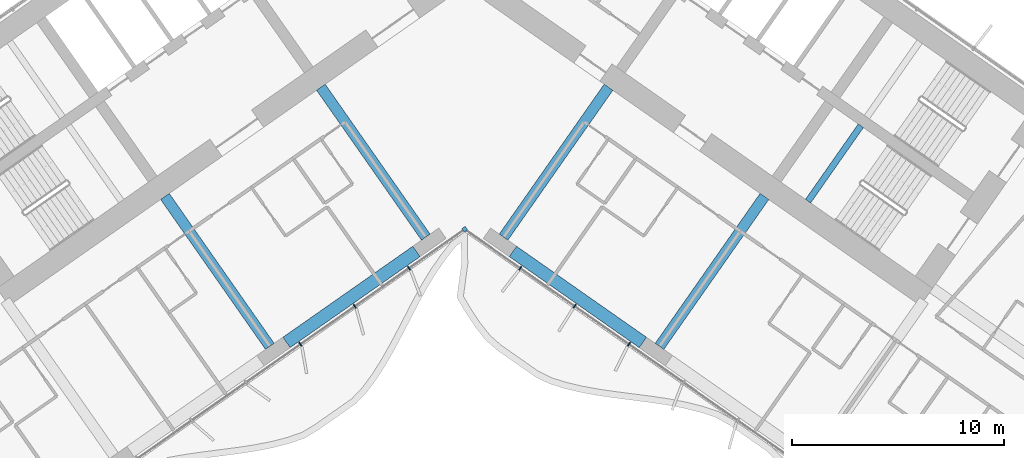
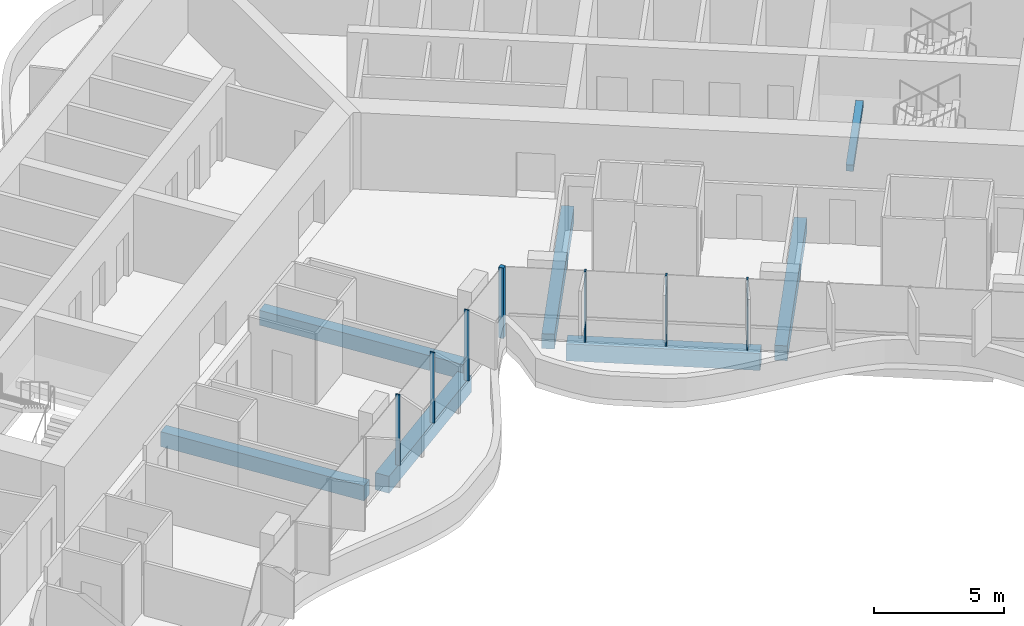
# One storey, part 6 of 25: 7 beams, 7 members, 1 element without a shape of its own.
"""IFC4 building model written with IfcOpenShell, lengths in metres."""

from ifc_helpers import new_model, si_unit, direction, frame, origin, origin_2d, place, context, subcontext, project, spatial, rectangle, extrude, material, material_profile, profile_set, type_object, element, aggregate, save


model = new_model("IFC4")

# Units and contexts
model_context = context("Model", 3, precision=1e-05, world=origin(), true_north=direction((0.0, 1.0)))
body_context = subcontext(model_context, "Body", "Model", "MODEL_VIEW")
ifc_project = project(units=[si_unit("LENGTHUNIT", "METRE"), si_unit("AREAUNIT", "SQUARE_METRE"), si_unit("VOLUMEUNIT", "CUBIC_METRE"), si_unit("PLANEANGLEUNIT", "RADIAN"), si_unit("MASSUNIT", "GRAM", prefix="KILO")], contexts=[model_context])

# Site, building, storey
site_placement = place(None, origin())
site = spatial("IfcSite", under=ifc_project, at=site_placement, CompositionType="ELEMENT")
building_placement = place(site_placement, origin())
building = spatial("IfcBuilding", under=site, at=building_placement, Name="Tel Ilan Convention Tower", CompositionType="ELEMENT")
storey_placement = place(building_placement, frame((0.0, 0.0, 61.699951171875)))
storey = spatial("IfcBuildingStorey", under=building, at=storey_placement, Name="L10", CompositionType="ELEMENT", Elevation=61.699951171875)

# Beams
ifc_material_1 = material(Name="Concrete C40/50", Category="concrete")
ifc_material_profile_1 = material_profile(ifc_material_1, rectangle(XDim=0.5, YDim=0.699951171875, at=origin_2d()), Name="RC 500x700")
ifc_profile_set_1 = profile_set([ifc_material_profile_1], Name="Concrete C40/50")
beam_type_1 = type_object("IfcBeamType", Name="Beam RC 500x700 Concrete C40/50", PredefinedType="BEAM", material=ifc_profile_set_1)
for number, where, z_axis, x_axis, name in (
    (1, (-1.83740234375, -13.06689453125, -0.6298828125), (-0.573574099654, 0.819153680457, 0.0), (-0.819153680457, -0.573574099654, 0.0), "L10 beam W-W-F1-core"),
    (2, (-9.209716796875, -18.229248046875, -0.6298828125), (-0.573574099654, 0.819153680457, 0.0), (-0.819153680457, -0.573574099654, 0.0), "L10 beam W-W-F2-core"),
    (3, (1.83740234375, -13.06689453125, -0.6298828125), (0.573574099654, 0.819153680457, 0.0), (-0.819153680457, 0.573574099654, 0.0), "L10 beam E-E-F1-core"),
    (4, (9.209716796875, -18.229248046875, -0.6298828125), (0.573574099654, 0.819153680457, 0.0), (-0.819153680457, 0.573574099654, 0.0), "L10 beam E-E-F2-core"),
):
    element("IfcBeam", number, at=place(storey_placement, frame(where, z_axis=z_axis, x_axis=x_axis)), inside=storey, type_object=beam_type_1, Name=name, PredefinedType="BEAM", context=body_context, shape_type="SweptSolid", body=[
        extrude(rectangle(XDim=0.5, YDim=0.699951171875, at=origin_2d()), origin(), (0.0, 0.0, 1.0), 8.64990234375),
    ])
ifc_material_2 = material(Name="Concrete C40/50", Category="concrete")
ifc_material_profile_2 = material_profile(ifc_material_2, rectangle(XDim=0.60009765625, YDim=0.800048828125, at=origin_2d()), Name="RC 600x800")
ifc_profile_set_2 = profile_set([ifc_material_profile_2], Name="Concrete C40/50")
beam_type_2 = type_object("IfcBeamType", Name="Beam RC 600x800 Concrete C40/50", PredefinedType="BEAM", material=ifc_profile_set_2)
for number, where, z_axis, x_axis, name in (
    (5, (-2.279541015625, -13.742919921875, -0.679931640625), (-0.819147803225, -0.57358249317, 0.0), (0.57358249317, -0.819147803225, 0.0), "L10 beam W-W-F1-W-F2"),
    (6, (2.279541015625, -13.742919921875, -0.679931640625), (0.819147803225, -0.57358249317, 0.0), (0.57358249317, 0.819147803225, 0.0), "L10 beam E-E-F1-E-F2"),
):
    element("IfcBeam", number, at=place(storey_placement, frame(where, z_axis=z_axis, x_axis=x_axis)), inside=storey, type_object=beam_type_2, Name=name, PredefinedType="BEAM", context=body_context, shape_type="SweptSolid", body=[
        extrude(rectangle(XDim=0.60009765625, YDim=0.800048828125, at=origin_2d()), origin(), (0.0, 0.0, 1.0), 7.500244140625),
    ])

# Curtain wall, members
ifc_material_3 = material(Name="Aluminium, bronze anodised", Category="aluminium")
curtain_wall_type = type_object("IfcCurtainWallType", Name="CW1 UNITISED CURTAIN WALL, HOTEL TINTED GLASS", PredefinedType="NOTDEFINED", material=ifc_material_3)
curtain_wall_placement = place(storey_placement, origin())
curtain_wall = element("IfcCurtainWall", 7, at=curtain_wall_placement, inside=storey, type_object=curtain_wall_type, Name="Curtain wall CW1-11.02", PredefinedType="NOTDEFINED")
ifc_material_4 = material(Name="Aluminium, bronze anodised", Category="aluminium")
ifc_material_profile_3 = material_profile(ifc_material_4, rectangle(XDim=0.199951171875, YDim=0.199951171875, at=origin_2d()), Name="CW CORNER MULLION 200x200")
ifc_profile_set_3 = profile_set([ifc_material_profile_3], Name="Aluminium, bronze anodised")
member_type_1 = type_object("IfcMemberType", Name="CW CORNER MULLION 200x200", PredefinedType="MULLION", material=ifc_profile_set_3)
member_1_placement = place(storey_placement, frame((0.0, -12.696044921875, 0.0), z_axis=(0.0, 0.0, 1.0), x_axis=(0.819152044289, 0.573576436351, 0.0)))
member_1 = element("IfcMember", 8, at=member_1_placement, type_object=member_type_1, Name="Corner mullion", PredefinedType="MULLION", context=body_context, shape_type="SweptSolid", body=[
    extrude(rectangle(XDim=0.199951171875, YDim=0.199951171875, at=origin_2d()), origin(), (0.0, 0.0, 1.0), 3.320068359375),
])
ifc_material_5 = material(Name="Aluminium, bronze anodised", Category="aluminium")
ifc_material_profile_4 = material_profile(ifc_material_5, rectangle(XDim=0.06005859375, YDim=0.199951171875, at=origin_2d()), Name="CW MULLION 60x200")
ifc_profile_set_4 = profile_set([ifc_material_profile_4], Name="Aluminium, bronze anodised")
member_type_2 = type_object("IfcMemberType", Name="CW MULLION 60x200", PredefinedType="MULLION", material=ifc_profile_set_4)
member_2_placement = place(storey_placement, frame((-7.76708984375, -18.134765625, 0.0), z_axis=(0.0, 0.0, 1.0), x_axis=(0.819152044289, 0.573576436351, 0.0)))
member_2 = element("IfcMember", 9, at=member_2_placement, type_object=member_type_2, Name="Mullion", PredefinedType="MULLION", context=body_context, shape_type="SweptSolid", body=[
    extrude(rectangle(XDim=0.06005859375, YDim=0.199951171875, at=origin_2d()), origin(), (0.0, 0.0, 1.0), 3.320068359375),
])
member_3_placement = place(storey_placement, frame((-5.197265625, -16.335205078125, 0.0), z_axis=(0.0, 0.0, 1.0), x_axis=(0.819152044289, 0.573576436351, 0.0)))
member_3 = element("IfcMember", 10, at=member_3_placement, type_object=member_type_2, Name="Mullion", PredefinedType="MULLION", context=body_context, shape_type="SweptSolid", body=[
    extrude(rectangle(XDim=0.06005859375, YDim=0.199951171875, at=origin_2d()), origin(), (0.0, 0.0, 1.0), 3.320068359375),
])
member_4_placement = place(storey_placement, frame((-2.627197265625, -14.53564453125, 0.0), z_axis=(0.0, 0.0, 1.0), x_axis=(0.819152044289, 0.573576436351, 0.0)))
member_4 = element("IfcMember", 11, at=member_4_placement, type_object=member_type_2, Name="Mullion", PredefinedType="MULLION", context=body_context, shape_type="SweptSolid", body=[
    extrude(rectangle(XDim=0.06005859375, YDim=0.199951171875, at=origin_2d()), origin(), (0.0, 0.0, 1.0), 3.320068359375),
])
member_5_placement = place(storey_placement, frame((2.627197265625, -14.53564453125, 0.0), z_axis=(0.0, 0.0, 1.0), x_axis=(0.819152044289, -0.573576436351, 0.0)))
member_5 = element("IfcMember", 12, at=member_5_placement, type_object=member_type_2, Name="Mullion", PredefinedType="MULLION", context=body_context, shape_type="SweptSolid", body=[
    extrude(rectangle(XDim=0.06005859375, YDim=0.199951171875, at=origin_2d()), origin(), (0.0, 0.0, 1.0), 3.320068359375),
])
member_6_placement = place(storey_placement, frame((5.197265625, -16.335205078125, 0.0), z_axis=(0.0, 0.0, 1.0), x_axis=(0.819152044289, -0.573576436351, 0.0)))
member_6 = element("IfcMember", 13, at=member_6_placement, type_object=member_type_2, Name="Mullion", PredefinedType="MULLION", context=body_context, shape_type="SweptSolid", body=[
    extrude(rectangle(XDim=0.06005859375, YDim=0.199951171875, at=origin_2d()), origin(), (0.0, 0.0, 1.0), 3.320068359375),
])
member_7_placement = place(storey_placement, frame((7.76708984375, -18.134765625, 0.0), z_axis=(0.0, 0.0, 1.0), x_axis=(0.819152044289, -0.573576436351, 0.0)))
member_7 = element("IfcMember", 14, at=member_7_placement, type_object=member_type_2, Name="Mullion", PredefinedType="MULLION", context=body_context, shape_type="SweptSolid", body=[
    extrude(rectangle(XDim=0.06005859375, YDim=0.199951171875, at=origin_2d()), origin(), (0.0, 0.0, 1.0), 3.320068359375),
])
aggregate(curtain_wall, [member_2, member_3, member_4, member_1, member_5, member_6, member_7])

# Beam
ifc_material_6 = material(Name="Concrete C40/50", Category="concrete")
ifc_material_profile_5 = material_profile(ifc_material_6, rectangle(XDim=0.300048828125, YDim=0.300048828125, at=origin_2d()), Name="RC 300x300")
ifc_profile_set_5 = profile_set([ifc_material_profile_5], Name="Concrete C40/50")
beam_type_3 = type_object("IfcBeamType", Name="Landing Beam RC 300x300 Concrete C40/50", PredefinedType="BEAM", material=ifc_profile_set_5)
beam_placement = place(storey_placement, frame((18.726806640625, -7.80224609375, 1.449951171875), z_axis=(-0.573594173421, -0.819139624372, 0.0), x_axis=(0.819139624372, -0.573594173421, 0.0)))
element("IfcBeam", 15, at=beam_placement, inside=storey, type_object=beam_type_3, Name="S4 landing beam L10.1", PredefinedType="BEAM", context=body_context, shape_type="SweptSolid", body=[
    extrude(rectangle(XDim=0.300048828125, YDim=0.300048828125, at=origin_2d()), origin(), (0.0, 0.0, 1.0), 4.349853515625),
])

save(model, "model.ifc")
